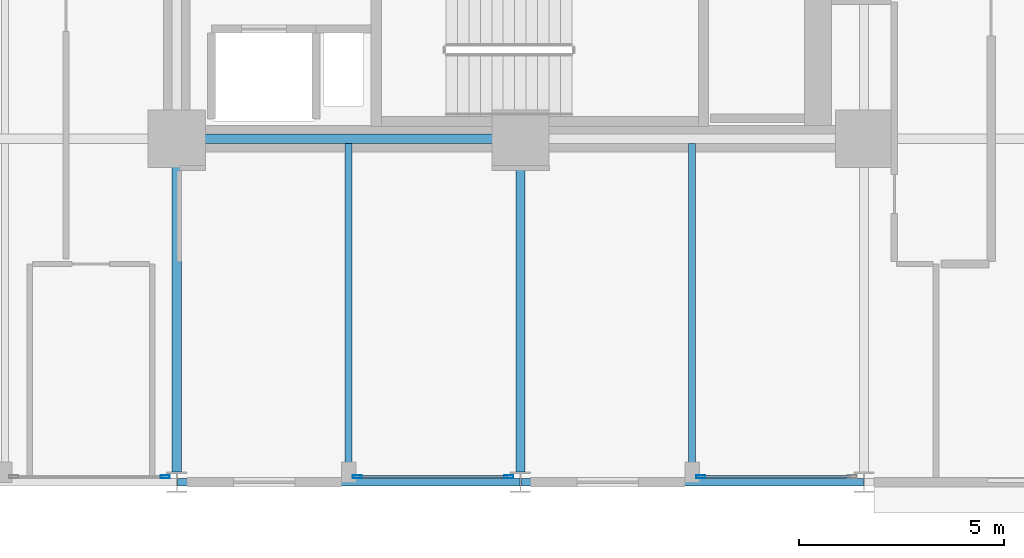
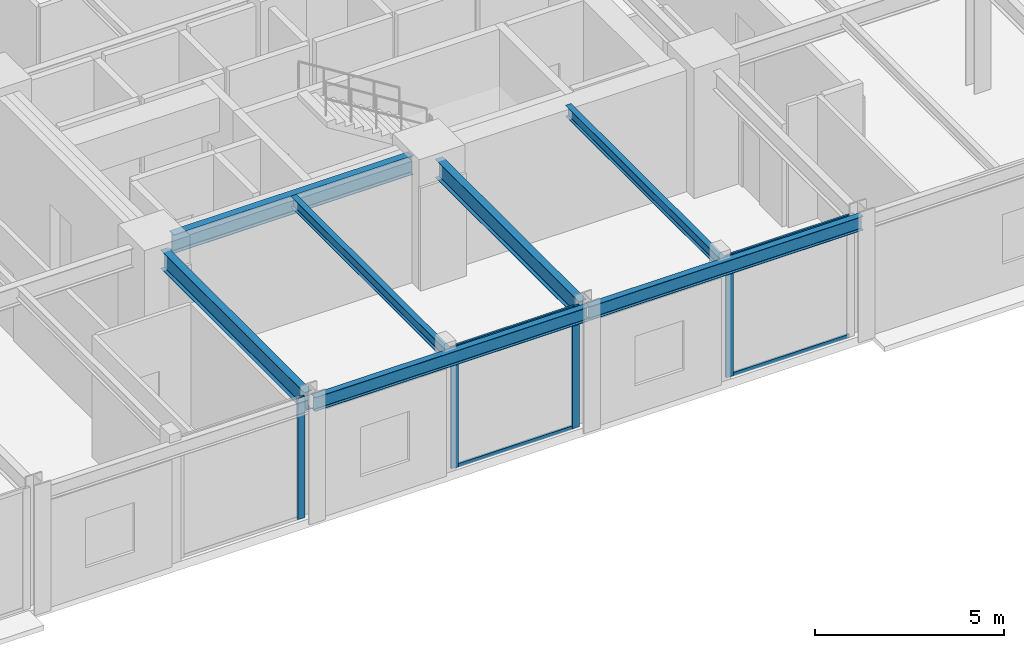
# One storey, part 4 of 25: 8 members, 7 beams, 3 elements without a shape of their own.
"""IFC4 building model written with IfcOpenShell, lengths in metres."""

from ifc_helpers import new_model, si_unit, direction, frame, origin, origin_2d, place, context, subcontext, project, spatial, hollow_rectangle, i_section, extrude, material, layer, layer_set, material_profile, profile_set, type_object, element, aggregate, save


model = new_model("IFC4")

# Units and contexts
model_context = context("Model", 3, precision=1e-05, world=origin(), true_north=direction((0.0, 1.0)))
body_context = subcontext(model_context, "Body", "Model", "MODEL_VIEW")
ifc_project = project(units=[si_unit("LENGTHUNIT", "METRE"), si_unit("AREAUNIT", "SQUARE_METRE"), si_unit("VOLUMEUNIT", "CUBIC_METRE"), si_unit("PLANEANGLEUNIT", "RADIAN"), si_unit("MASSUNIT", "GRAM", prefix="KILO")], contexts=[model_context])

# Site, building, storey
site_placement = place(None, origin())
site = spatial("IfcSite", under=ifc_project, at=site_placement, CompositionType="ELEMENT")
building_placement = place(site_placement, origin())
building = spatial("IfcBuilding", under=site, at=building_placement, Name="Nerrivon Quay Data Exchange", CompositionType="ELEMENT")
storey_placement = place(building_placement, frame((0.0, 0.0, 29.0)))
storey = spatial("IfcBuildingStorey", under=building, at=storey_placement, Name="L06", CompositionType="ELEMENT", Elevation=29.0)

# Beams
ifc_material_1 = material(Name="Steel Grade 350", Category="steel")
ifc_material_profile_1 = material_profile(ifc_material_1, i_section(OverallWidth=0.22900390625, OverallDepth=0.612060546875, WebThickness=0.011962890625, FlangeThickness=0.01953125, FilletRadius=0.013916015625, at=origin_2d()), Name="610UB125")
ifc_profile_set_1 = profile_set([ifc_material_profile_1], Name="Steel Grade 350")
beam_type_1 = type_object("IfcBeamType", Name="BM-G1-610UB125", PredefinedType="BEAM", material=ifc_profile_set_1)
beam_1_placement = place(storey_placement, frame((17.340087890625, 8.39990234375, 3.618896484375), z_axis=(1.0, 0.0, 0.0), x_axis=(0.0, 1.0, 0.0)))
element("IfcBeam", 1, at=beam_1_placement, inside=storey, type_object=beam_type_1, Name="L06 EW Girder Y=8.4 (16.8..25.2)", PredefinedType="BEAM", context=body_context, shape_type="SweptSolid", body=[
    extrude(i_section(OverallWidth=0.22900390625, OverallDepth=0.612060546875, WebThickness=0.011962890625, FlangeThickness=0.01953125, FilletRadius=0.013916015625, at=origin_2d()), origin(), (0.0, 0.0, 1.0), 7.31982421875),
])
ifc_material_profile_2 = material_profile(ifc_material_1, i_section(OverallWidth=0.22802734375, OverallDepth=0.60205078125, WebThickness=0.010498046875, FlangeThickness=0.014892578125, FilletRadius=0.013916015625, at=origin_2d()), Name="610UB101")
ifc_profile_set_2 = profile_set([ifc_material_profile_2], Name="Steel Grade 350")
beam_type_2 = type_object("IfcBeamType", Name="BM-G2-610UB101", PredefinedType="BEAM", material=ifc_profile_set_2)
for number, where, z_axis, x_axis, name in (
    (2, (16.800048828125, 0.25, 3.6240234375), (0.0, 1.0, 0.0), (-1.0, 0.0, 0.0), "L06 NS Girder X=16.8 (0.0..8.4)"),
    (3, (25.199951171875, 0.25, 3.6240234375), (0.0, 1.0, 0.0), (-1.0, 0.0, 0.0), "L06 NS Girder X=25.2 (0.0..8.4)"),
):
    element("IfcBeam", number, at=place(storey_placement, frame(where, z_axis=z_axis, x_axis=x_axis)), inside=storey, type_object=beam_type_2, Name=name, PredefinedType="BEAM", context=body_context, shape_type="SweptSolid", body=[
        extrude(i_section(OverallWidth=0.22802734375, OverallDepth=0.60205078125, WebThickness=0.010498046875, FlangeThickness=0.014892578125, FilletRadius=0.013916015625, at=origin_2d()), origin(), (0.0, 0.0, 1.0), 7.610107421875),
    ])
ifc_material_profile_3 = material_profile(ifc_material_1, i_section(OverallWidth=0.172119140625, OverallDepth=0.35888671875, WebThickness=0.008056640625, FlangeThickness=0.012939453125, FilletRadius=0.011474609375, at=origin_2d()), Name="360UB56.7")
ifc_profile_set_3 = profile_set([ifc_material_profile_3], Name="Steel Grade 350")
beam_type_3 = type_object("IfcBeamType", Name="BM-J3-360UB57", PredefinedType="JOIST", material=ifc_profile_set_3)
for number, where, z_axis, x_axis, name in (
    (4, (21.0, 0.094970703125, 3.74560546875), (0.0, 1.0, 0.0), (-1.0, 0.0, 0.0), "L06 Secondary Joist X=21.0 (0.0..8.4)"),
    (5, (29.39990234375, 0.094970703125, 3.74560546875), (0.0, 1.0, 0.0), (-1.0, 0.0, 0.0), "L06 Secondary Joist X=29.4 (0.0..8.4)"),
):
    element("IfcBeam", number, at=place(storey_placement, frame(where, z_axis=z_axis, x_axis=x_axis)), inside=storey, type_object=beam_type_3, Name=name, PredefinedType="JOIST", context=body_context, shape_type="SweptSolid", body=[
        extrude(i_section(OverallWidth=0.172119140625, OverallDepth=0.35888671875, WebThickness=0.008056640625, FlangeThickness=0.012939453125, FilletRadius=0.011474609375, at=origin_2d()), origin(), (0.0, 0.0, 1.0), 8.1904296875),
    ])
ifc_material_profile_4 = material_profile(ifc_material_1, i_section(OverallWidth=0.18994140625, OverallDepth=0.4541015625, WebThickness=0.008544921875, FlangeThickness=0.0126953125, FilletRadius=0.011474609375, at=origin_2d()), Name="460UB67.1")
ifc_profile_set_4 = profile_set([ifc_material_profile_4], Name="Steel Grade 350")
beam_type_4 = type_object("IfcBeamType", Name="BM-SP1-460UB67", PredefinedType="SPANDREL", material=ifc_profile_set_4)
beam_2_placement = place(storey_placement, frame((16.81396484375, 0.0, 3.697998046875), z_axis=(1.0, 0.0, 0.0), x_axis=(0.0, 1.0, 0.0)))
element("IfcBeam", 6, at=beam_2_placement, inside=storey, type_object=beam_type_4, Name="L06 EW Girder Y=0.0 (16.8..25.2)", PredefinedType="SPANDREL", context=body_context, shape_type="SweptSolid", body=[
    extrude(i_section(OverallWidth=0.18994140625, OverallDepth=0.4541015625, WebThickness=0.008544921875, FlangeThickness=0.0126953125, FilletRadius=0.011474609375, at=origin_2d()), origin(), (0.0, 0.0, 1.0), 8.3720703125),
])
beam_3_placement = place(storey_placement, frame((25.214111328125, 0.0, 3.697998046875), z_axis=(1.0, 0.0, 0.0), x_axis=(0.0, 1.0, 0.0)))
element("IfcBeam", 7, at=beam_3_placement, inside=storey, type_object=beam_type_4, Name="L06 EW Girder Y=0.0 (25.2..33.6)", PredefinedType="SPANDREL", context=body_context, shape_type="SweptSolid", body=[
    extrude(i_section(OverallWidth=0.18994140625, OverallDepth=0.4541015625, WebThickness=0.008544921875, FlangeThickness=0.0126953125, FilletRadius=0.011474609375, at=origin_2d()), origin(), (0.0, 0.0, 1.0), 8.371826171875),
])

# Curtain wall, member
ifc_material_2 = material(Name="Anodised aluminium 6063-T6", Category="aluminium")
ifc_layer = layer(ifc_material_2, 0.219970703125)
ifc_layer_set = layer_set([ifc_layer], Name="Anodised aluminium 6063-T6")
curtain_wall_type = type_object("IfcCurtainWallType", Name="CW-SYS-01", PredefinedType="NOTDEFINED", material=ifc_layer_set)
curtain_wall_1_placement = place(storey_placement, origin())
curtain_wall_1 = element("IfcCurtainWall", 8, at=curtain_wall_1_placement, inside=storey, type_object=curtain_wall_type, Name="L06 Unitised Curtain Wall 4", PredefinedType="NOTDEFINED")
ifc_material_profile_5 = material_profile(ifc_material_2, hollow_rectangle(XDim=0.074951171875, YDim=0.219970703125, WallThickness=0.00390625, at=origin_2d()), Name="ALU-MULL-220x75")
ifc_profile_set_5 = profile_set([ifc_material_profile_5], Name="Anodised aluminium 6063-T6")
member_type_1 = type_object("IfcMemberType", Name="CWM-220x75", PredefinedType="MULLION", material=ifc_profile_set_5)
member_1_placement = place(storey_placement, frame((29.612548828125, 0.139892578125, 0.0), z_axis=(0.0, 0.0, 1.0), x_axis=(0.0, -1.0, 0.0)))
member_1 = element("IfcMember", 9, at=member_1_placement, type_object=member_type_1, Name="CW01 mullion 2", PredefinedType="MULLION", context=body_context, shape_type="SweptSolid", body=[
    extrude(hollow_rectangle(XDim=0.074951171875, YDim=0.219970703125, WallThickness=0.00390625, at=origin_2d()), origin(), (0.0, 0.0, 1.0), 3.925048828125),
])

# Curtain wall, members
curtain_wall_2_placement = place(storey_placement, origin())
curtain_wall_2 = element("IfcCurtainWall", 10, at=curtain_wall_2_placement, inside=storey, type_object=curtain_wall_type, Name="L06 Unitised Curtain Wall 6", PredefinedType="NOTDEFINED")
member_2_placement = place(storey_placement, frame((24.91259765625, 0.139892578125, 0.0), z_axis=(0.0, 0.0, 1.0), x_axis=(0.0, -1.0, 0.0)))
member_2 = element("IfcMember", 11, at=member_2_placement, type_object=member_type_1, Name="CW01 mullion 1", PredefinedType="MULLION", context=body_context, shape_type="SweptSolid", body=[
    extrude(hollow_rectangle(XDim=0.074951171875, YDim=0.219970703125, WallThickness=0.00390625, at=origin_2d()), origin(), (0.0, 0.0, 1.0), 3.925048828125),
])
member_3_placement = place(storey_placement, frame((21.21240234375, 0.139892578125, 0.0), z_axis=(0.0, 0.0, 1.0), x_axis=(0.0, -1.0, 0.0)))
member_3 = element("IfcMember", 12, at=member_3_placement, type_object=member_type_1, Name="CW01 mullion 2", PredefinedType="MULLION", context=body_context, shape_type="SweptSolid", body=[
    extrude(hollow_rectangle(XDim=0.074951171875, YDim=0.219970703125, WallThickness=0.00390625, at=origin_2d()), origin(), (0.0, 0.0, 1.0), 3.925048828125),
])

# Curtain wall, member
curtain_wall_3_placement = place(storey_placement, origin())
curtain_wall_3 = element("IfcCurtainWall", 13, at=curtain_wall_3_placement, inside=storey, type_object=curtain_wall_type, Name="L06 Unitised Curtain Wall 8", PredefinedType="NOTDEFINED")
member_4_placement = place(storey_placement, frame((16.512451171875, 0.139892578125, 0.0), z_axis=(0.0, 0.0, 1.0), x_axis=(0.0, -1.0, 0.0)))
member_4 = element("IfcMember", 14, at=member_4_placement, type_object=member_type_1, Name="CW01 mullion 1", PredefinedType="MULLION", context=body_context, shape_type="SweptSolid", body=[
    extrude(hollow_rectangle(XDim=0.074951171875, YDim=0.219970703125, WallThickness=0.00390625, at=origin_2d()), origin(), (0.0, 0.0, 1.0), 3.925048828125),
])
aggregate(curtain_wall_3, [member_4])

# Member
ifc_material_profile_6 = material_profile(ifc_material_2, hollow_rectangle(XDim=0.06005859375, YDim=0.1201171875, WallThickness=0.003173828125, at=origin_2d()), Name="ALU-TRAN-120x60")
ifc_profile_set_6 = profile_set([ifc_material_profile_6], Name="Anodised aluminium 6063-T6")
member_type_2 = type_object("IfcMemberType", Name="CWT-120x60", PredefinedType="USERDEFINED", material=ifc_profile_set_6)
member_5_placement = place(storey_placement, frame((33.27490234375, 0.139892578125, 0.032470703125), z_axis=(-1.0, 0.0, 0.0), x_axis=(0.0, -1.0, 0.0)))
member_5 = element("IfcMember", 15, at=member_5_placement, type_object=member_type_2, Name="CW01 transom 1.1", ObjectType="TRANSOM", PredefinedType="USERDEFINED", context=body_context, shape_type="SweptSolid", body=[
    extrude(hollow_rectangle(XDim=0.06005859375, YDim=0.1201171875, WallThickness=0.003173828125, at=origin_2d()), origin(), (0.0, 0.0, 1.0), 3.625),
])

member_6_placement = place(storey_placement, frame((33.27490234375, 0.139892578125, 3.892578125), z_axis=(-1.0, 0.0, 0.0), x_axis=(0.0, -1.0, 0.0)))
member_6 = element("IfcMember", 16, at=member_6_placement, type_object=member_type_2, Name="CW01 transom 1.2", ObjectType="TRANSOM", PredefinedType="USERDEFINED", context=body_context, shape_type="SweptSolid", body=[
    extrude(hollow_rectangle(XDim=0.06005859375, YDim=0.1201171875, WallThickness=0.003173828125, at=origin_2d()), origin(), (0.0, 0.0, 1.0), 3.625),
])

aggregate(curtain_wall_1, [member_1, member_5, member_6])

member_7_placement = place(storey_placement, frame((24.875, 0.139892578125, 0.032470703125), z_axis=(-1.0, 0.0, 0.0), x_axis=(0.0, -1.0, 0.0)))
member_7 = element("IfcMember", 17, at=member_7_placement, type_object=member_type_2, Name="CW01 transom 1.1", ObjectType="TRANSOM", PredefinedType="USERDEFINED", context=body_context, shape_type="SweptSolid", body=[
    extrude(hollow_rectangle(XDim=0.06005859375, YDim=0.1201171875, WallThickness=0.003173828125, at=origin_2d()), origin(), (0.0, 0.0, 1.0), 3.625),
])

member_8_placement = place(storey_placement, frame((24.875, 0.139892578125, 3.892578125), z_axis=(-1.0, 0.0, 0.0), x_axis=(0.0, -1.0, 0.0)))
member_8 = element("IfcMember", 18, at=member_8_placement, type_object=member_type_2, Name="CW01 transom 1.2", ObjectType="TRANSOM", PredefinedType="USERDEFINED", context=body_context, shape_type="SweptSolid", body=[
    extrude(hollow_rectangle(XDim=0.06005859375, YDim=0.1201171875, WallThickness=0.003173828125, at=origin_2d()), origin(), (0.0, 0.0, 1.0), 3.625),
])

aggregate(curtain_wall_2, [member_2, member_3, member_7, member_8])

save(model, "model.ifc")
